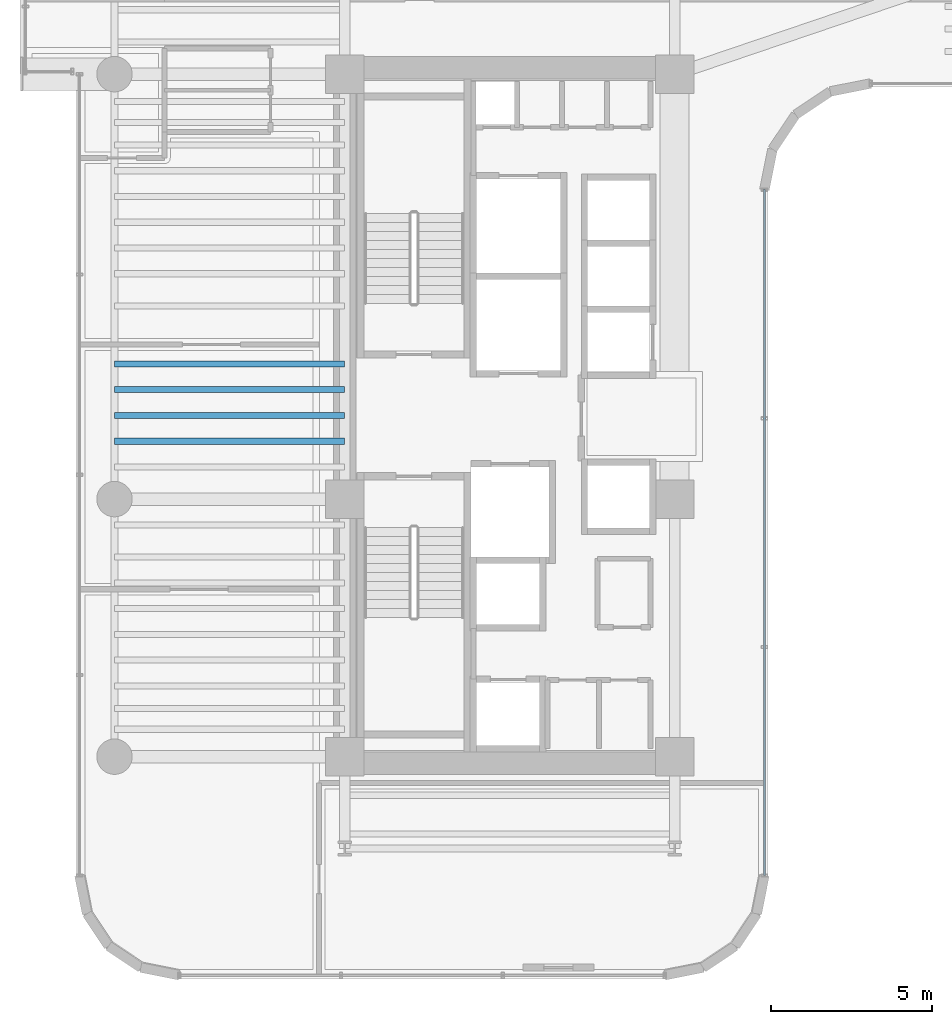
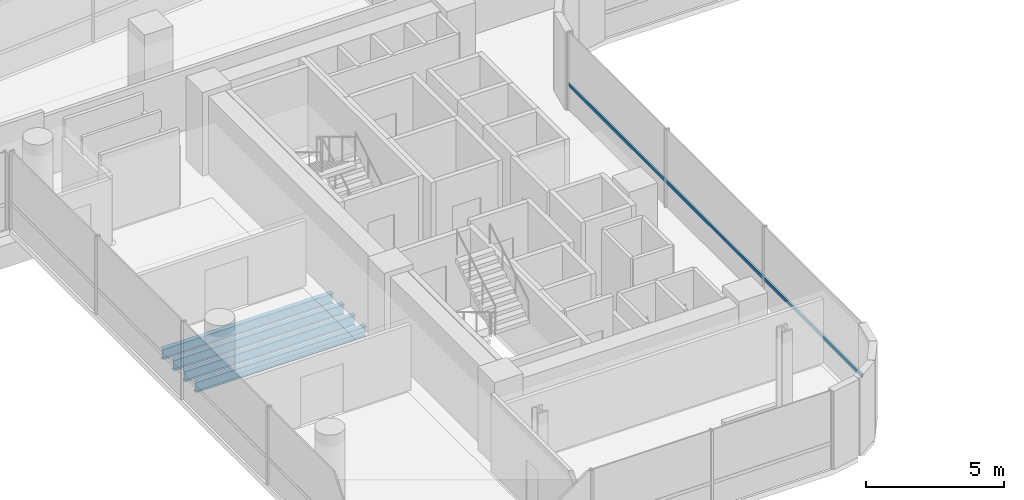
# One storey, part 7 of 35: 4 beams, 1 member, 1 element without a shape of its own.
"""IFC4 building model written with IfcOpenShell, lengths in metres."""

import ifcopenshell
import ifcopenshell.guid

model = None  # the IFC model being written
_history = None  # IfcOwnerHistory: only IFC2X3 demands one
_inside = {}  # id of a spatial element -> (the spatial element, [elements in it])
_under = {}  # id of a project, library or spatial element -> (it, [spatial elements below it])
_declared = {}  # id of a project -> (the project, [libraries it declares])
_typed = {}  # id of a type object -> (the type object, [elements of that type])
_made_of = {}  # id of a material, layer set ... -> (it, [elements and type objects made of it])


def new_model(schema):
    """Start an empty IFC model of exactly this schema.

    Asked for "IFC4X3", IfcOpenShell would pick the latest addendum, in which some entities
    have other attributes; the version numbers below select the first issue.
    IFC2X3 requires an IfcOwnerHistory on every rooted entity: one is made here for all.
    """
    global model, _history
    if schema == "IFC4X3":
        model = ifcopenshell.file(schema_version=(4, 3, 0, 0))
    else:
        model = ifcopenshell.file(schema=schema)
    _inside.clear()
    _under.clear()
    _declared.clear()
    _typed.clear()
    _made_of.clear()
    _history = None
    if model.schema == "IFC2X3":
        org = make("IfcOrganization", Name="unknown")
        user = make(
            "IfcPersonAndOrganization",
            ThePerson=make("IfcPerson", FamilyName="unknown"),
            TheOrganization=org,
        )
        app = make(
            "IfcApplication",
            ApplicationDeveloper=org,
            Version="unknown",
            ApplicationFullName="unknown",
            ApplicationIdentifier="unknown",
        )
        _history = make(
            "IfcOwnerHistory",
            OwningUser=user,
            OwningApplication=app,
            ChangeAction="ADDED",
            CreationDate=0,
        )
    return model


def make(cls, **values):
    """One entity of the class cls with the attributes given. An attribute that is None is left unset."""
    return model.create_entity(
        cls, **{name: value for name, value in values.items() if value is not None}
    )


def rooted(cls, **values):
    """An entity with a GlobalId (a new one), such as an element, a storey or a relation."""
    return make(cls, GlobalId=ifcopenshell.guid.new(), OwnerHistory=_history, **values)


def si_unit(unit_type, name, prefix=None):
    """IfcSIUnit, for example si_unit("LENGTHUNIT", "METRE", prefix="MILLI")."""
    return make("IfcSIUnit", UnitType=unit_type, Prefix=prefix, Name=name)


def assignment(units):
    """IfcUnitAssignment: the units of a project."""
    return None if units is None else make("IfcUnitAssignment", Units=units)


def point(xyz):
    """IfcCartesianPoint."""
    return None if xyz is None else make("IfcCartesianPoint", Coordinates=xyz)


def direction(xyz):
    """IfcDirection."""
    return None if xyz is None else make("IfcDirection", DirectionRatios=xyz)


def frame(location, z_axis=None, x_axis=None):
    """IfcAxis2Placement3D, a coordinate frame: its origin and axes. An axis left out is left unset."""
    return make(
        "IfcAxis2Placement3D",
        Location=point(location),
        Axis=direction(z_axis),
        RefDirection=direction(x_axis),
    )


def frame_2d(location, x_axis=None):
    """IfcAxis2Placement2D, a coordinate frame in the plane: its origin and x axis."""
    return make(
        "IfcAxis2Placement2D", Location=point(location), RefDirection=direction(x_axis)
    )


def origin():
    """The frame at (0, 0, 0) with its axes left unset."""
    return frame((0.0, 0.0, 0.0))


def origin_2d():
    """The frame at (0, 0) in the plane with its x axis left unset."""
    return frame_2d((0.0, 0.0))


def place(relative_to, where):
    """IfcLocalPlacement: puts the frame where relative to a parent placement (None: the world)."""
    return make(
        "IfcLocalPlacement", PlacementRelTo=relative_to, RelativePlacement=where
    )


def context(
    kind, dimensions, precision=None, world=None, true_north=None, identifier=None
):
    """IfcGeometricRepresentationContext, for example the 3D "Model" context."""
    return make(
        "IfcGeometricRepresentationContext",
        ContextIdentifier=identifier,
        ContextType=kind,
        CoordinateSpaceDimension=dimensions,
        Precision=precision,
        WorldCoordinateSystem=world,
        TrueNorth=true_north,
    )


def subcontext(parent, identifier, kind, view, scale=None):
    """IfcGeometricRepresentationSubContext, for example "Body" below "Model"."""
    return make(
        "IfcGeometricRepresentationSubContext",
        ContextIdentifier=identifier,
        ContextType=kind,
        ParentContext=parent,
        TargetScale=scale,
        TargetView=view,
    )


def project(units=None, contexts=None):
    """IfcProject with its units and contexts."""
    return rooted(
        "IfcProject",
        Name="project",
        RepresentationContexts=contexts,
        UnitsInContext=assignment(units),
    )


def spatial(cls, under=None, at=None, **own):
    """A site, building, storey or space (cls), placed at a placement, below another one or the project."""
    s = rooted(cls, ObjectPlacement=at, **own)
    if under is not None:
        _under.setdefault(under.id(), (under, []))[1].append(s)
    return s


def profile(cls, at=None, kind="AREA", **sizes):
    """A parametric profile (cls). Its sizes go by their IFC names, for example OverallWidth=200.0."""
    return make(cls, ProfileType=kind, Position=at, **sizes)


def hollow_rectangle(**sizes):
    """IfcRectangleHollowProfileDef."""
    return profile("IfcRectangleHollowProfileDef", **sizes)


def i_section(**sizes):
    """IfcIShapeProfileDef."""
    return profile("IfcIShapeProfileDef", **sizes)


def extrude(swept, where, along, depth):
    """IfcExtrudedAreaSolid: the profile swept, set in the frame where, extruded along a direction by depth."""
    return make(
        "IfcExtrudedAreaSolid",
        SweptArea=swept,
        Position=where,
        ExtrudedDirection=direction(along),
        Depth=depth,
    )


def shape(context_of_items, identifier, shape_type, items):
    """IfcShapeRepresentation: the items that make up one representation, for example the "Body"."""
    return make(
        "IfcShapeRepresentation",
        ContextOfItems=context_of_items,
        RepresentationIdentifier=identifier,
        RepresentationType=shape_type,
        Items=items,
    )


def source(mapping_origin, context_of_items, identifier, shape_type, items):
    """IfcRepresentationMap: a shape defined once, which mapped items show again and again."""
    return make(
        "IfcRepresentationMap",
        MappingOrigin=mapping_origin,
        MappedRepresentation=shape(context_of_items, identifier, shape_type, items),
    )


def transform(
    local_origin,
    x_axis=None,
    y_axis=None,
    z_axis=None,
    scale=None,
    scale2=None,
    scale3=None,
    uniform=True,
):
    """IfcCartesianTransformationOperator3D, or its non-uniform kind. x_axis, y_axis, z_axis: its Axis1, 2, 3."""
    if uniform:
        return make(
            "IfcCartesianTransformationOperator3D",
            Axis1=direction(x_axis),
            Axis2=direction(y_axis),
            LocalOrigin=point(local_origin),
            Scale=scale,
            Axis3=direction(z_axis),
        )
    return make(
        "IfcCartesianTransformationOperator3DnonUniform",
        Axis1=direction(x_axis),
        Axis2=direction(y_axis),
        LocalOrigin=point(local_origin),
        Scale=scale,
        Axis3=direction(z_axis),
        Scale2=scale2,
        Scale3=scale3,
    )


def mapped(mapping_source, mapping_target):
    """IfcMappedItem: shows the shape of a source again, moved by a transform."""
    return make(
        "IfcMappedItem", MappingSource=mapping_source, MappingTarget=mapping_target
    )


def material(Name=None, Category=None):
    """IfcMaterial."""
    return make("IfcMaterial", Name=Name, Category=Category)


def material_profile(
    of_material, cross_section, Name=None, Category=None, Priority=None
):
    """IfcMaterialProfile: a cross section and its material."""
    return make(
        "IfcMaterialProfile",
        Name=Name,
        Material=of_material,
        Profile=cross_section,
        Priority=Priority,
        Category=Category,
    )


def profile_set(profiles, Name=None, composite=None):
    """IfcMaterialProfileSet."""
    return make(
        "IfcMaterialProfileSet",
        Name=Name,
        MaterialProfiles=profiles,
        CompositeProfile=composite,
    )


def made_of(thing, what):
    """Note that an element or type object is made of a material, layer set ...; save() writes the relation."""
    if what is not None:
        _made_of.setdefault(what.id(), (what, []))[1].append(thing)
    return thing


def type_object(cls, material=None, **own):
    """A type object (cls), such as IfcWallType, which elements share."""
    return made_of(rooted(cls, **own), material)


def element(
    cls,
    number,
    at=None,
    inside=None,
    cuts=None,
    type_object=None,
    material=None,
    context=None,
    identifier="Body",
    shape_type=None,
    held_by="IfcProductDefinitionShape",
    body=None,
    shapes=None,
    **own,
):
    """One element of the class cls, such as IfcWall. Its Tag is "e" and its number.

    at: its placement. inside: the storey or other place that contains it. cuts: it is an
    opening in that element (IfcRelVoidsElement). A single representation is given by context,
    identifier, shape_type and body (its items); several are given by shapes. held_by: the class
    of the entity that holds the representations. save() writes the other relations.
    """
    e = rooted(cls, Tag="e%d" % number, ObjectPlacement=at, **own)
    if body is not None:
        shapes = [shape(context, identifier, shape_type, body)]
    if shapes is not None:
        e.Representation = make(held_by, Representations=shapes)
    if inside is not None:
        _inside.setdefault(inside.id(), (inside, []))[1].append(e)
    if cuts is not None:
        rooted(
            "IfcRelVoidsElement", RelatingBuildingElement=cuts, RelatedOpeningElement=e
        )
    if type_object is not None:
        _typed.setdefault(type_object.id(), (type_object, []))[1].append(e)
    return made_of(e, material)


def aggregate(whole, parts):
    """IfcRelAggregates: a whole, such as a stair, and the parts it consists of."""
    return rooted("IfcRelAggregates", RelatingObject=whole, RelatedObjects=parts)


def save(model, path):
    """Write the relations noted so far, then the file.

    IfcRelAggregates (storeys below a building ...), IfcRelContainedInSpatialStructure (elements
    in a storey), IfcRelDefinesByType, IfcRelAssociatesMaterial and IfcRelDeclares: one each for
    every whole, place, type object, material and project.
    """
    for whole, parts in _under.values():
        aggregate(whole, parts)
    for where, things in _inside.values():
        rooted(
            "IfcRelContainedInSpatialStructure",
            RelatedElements=things,
            RelatingStructure=where,
        )
    for kind, things in _typed.values():
        rooted("IfcRelDefinesByType", RelatedObjects=things, RelatingType=kind)
    for what, things in _made_of.values():
        rooted("IfcRelAssociatesMaterial", RelatedObjects=things, RelatingMaterial=what)
    for by, libraries in _declared.values():
        rooted("IfcRelDeclares", RelatingContext=by, RelatedDefinitions=libraries)
    model.write(path)


model = new_model("IFC4")

# Units and contexts
model_context = context("Model", 3, precision=1e-05, world=origin(), true_north=direction((0.0, 1.0)))
body_context = subcontext(model_context, "Body", "Model", "MODEL_VIEW")
ifc_project = project(units=[si_unit("LENGTHUNIT", "METRE"), si_unit("AREAUNIT", "SQUARE_METRE"), si_unit("VOLUMEUNIT", "CUBIC_METRE"), si_unit("PLANEANGLEUNIT", "RADIAN"), si_unit("MASSUNIT", "GRAM", prefix="KILO")], contexts=[model_context])

# Site, building, storey
site_placement = place(None, origin())
site = spatial("IfcSite", under=ifc_project, at=site_placement, CompositionType="ELEMENT")
building_placement = place(site_placement, origin())
building = spatial("IfcBuilding", under=site, at=building_placement, Name="Valdorenza Pilgrim Sanctuary Tower", CompositionType="ELEMENT")
storey_placement = place(building_placement, frame((0.0, 0.0, 124.199951171875)))
storey = spatial("IfcBuildingStorey", under=building, at=storey_placement, Name="L31", CompositionType="ELEMENT", Elevation=124.199951171875)

# Beams
ifc_material_1 = material(Name="Steel ASTM A992 Grade 50", Category="steel")
ifc_material_profile_1 = material_profile(ifc_material_1, i_section(OverallWidth=0.19091796875, OverallDepth=0.45703125, WebThickness=0.009033203125, FlangeThickness=0.014404296875, at=origin_2d()), Name="W18X50")
ifc_profile_set_1 = profile_set([ifc_material_profile_1], Name="Steel ASTM A992 Grade 50")
beam_type = type_object("IfcBeamType", Name="STR-BM-JST-W18B", PredefinedType="JOIST", material=ifc_profile_set_1)
shared_shape_1 = source(origin(), body_context, "Body", "SweptSolid", [
    extrude(i_section(OverallWidth=0.19091796875, OverallDepth=0.45703125, WebThickness=0.009033203125, FlangeThickness=0.014404296875, at=origin_2d()), origin(), (0.0, 0.0, 1.0), 7.150146484375),
])
for number, where, z_axis, x_axis, name in (
    (1, (-29.800048828125, -0.800048828125, -0.468505859375), (1.0, 0.0, 0.0), (0.0, 1.0, 0.0), "L31 Composite Floor Joist JST-WA-11"),
    (2, (-29.800048828125, 0.0, -0.468505859375), (1.0, 0.0, 0.0), (0.0, 1.0, 0.0), "L31 Composite Floor Joist JST-WA-12"),
    (3, (-29.800048828125, 0.800048828125, -0.468505859375), (1.0, 0.0, 0.0), (0.0, 1.0, 0.0), "L31 Composite Floor Joist JST-WA-13"),
    (4, (-29.800048828125, 1.60009765625, -0.468505859375), (1.0, 0.0, 0.0), (0.0, 1.0, 0.0), "L31 Composite Floor Joist JST-WA-14"),
):
    element("IfcBeam", number, at=place(storey_placement, frame(where, z_axis=z_axis, x_axis=x_axis)), inside=storey, type_object=beam_type, Name=name, PredefinedType="JOIST", context=body_context, shape_type="MappedRepresentation", body=[
        mapped(shared_shape_1, transform((0.0, 0.0, 0.0), x_axis=(1.0, 0.0, 0.0), y_axis=(0.0, 1.0, 0.0), z_axis=(0.0, 0.0, 1.0), scale=1.0)),
    ])

# Curtain wall, member
ifc_material_2 = material(Name="Curtain-wall IGU glazing", Category="glass")
curtain_wall_type = type_object("IfcCurtainWallType", Name="CW-SYS-02", PredefinedType="NOTDEFINED", material=ifc_material_2)
curtain_wall_placement = place(storey_placement, origin())
curtain_wall = element("IfcCurtainWall", 5, at=curtain_wall_placement, inside=storey, type_object=curtain_wall_type, Name="L31 Curtain Wall CW-L31-1-41", PredefinedType="NOTDEFINED")
ifc_material_3 = material(Name="Anodised aluminium AW-6060", Category="aluminium")
ifc_material_profile_2 = material_profile(ifc_material_3, hollow_rectangle(XDim=0.074951171875, YDim=0.14990234375, WallThickness=0.00390625, at=origin_2d()), Name="ALU-T 150x75x4")
ifc_profile_set_2 = profile_set([ifc_material_profile_2], Name="Anodised aluminium AW-6060")
member_type = type_object("IfcMemberType", Name="CW-TRN-02", PredefinedType="USERDEFINED", material=ifc_profile_set_2)
shared_shape_2 = source(origin(), body_context, "Body", "SweptSolid", [
    extrude(hollow_rectangle(XDim=0.074951171875, YDim=0.14990234375, WallThickness=0.00390625, at=origin_2d()), origin(), (0.0, 0.0, 1.0), 21.300048828125),
])
member_placement = place(storey_placement, frame((-9.610107421875, 7.0107421875, 1.1201171875), z_axis=(0.0, -1.0, 0.0), x_axis=(1.0, 0.0, 0.0)))
member = element("IfcMember", 6, at=member_placement, type_object=member_type, Name="CW-L31-1-41 Transom 1", ObjectType="TRANSOM", PredefinedType="USERDEFINED", context=body_context, shape_type="MappedRepresentation", body=[
    mapped(shared_shape_2, transform((0.0, 0.0, 0.0), x_axis=(1.0, 0.0, 0.0), y_axis=(0.0, 1.0, 0.0), z_axis=(0.0, 0.0, 1.0), scale=1.0)),
])
aggregate(curtain_wall, [member])

save(model, "model.ifc")
